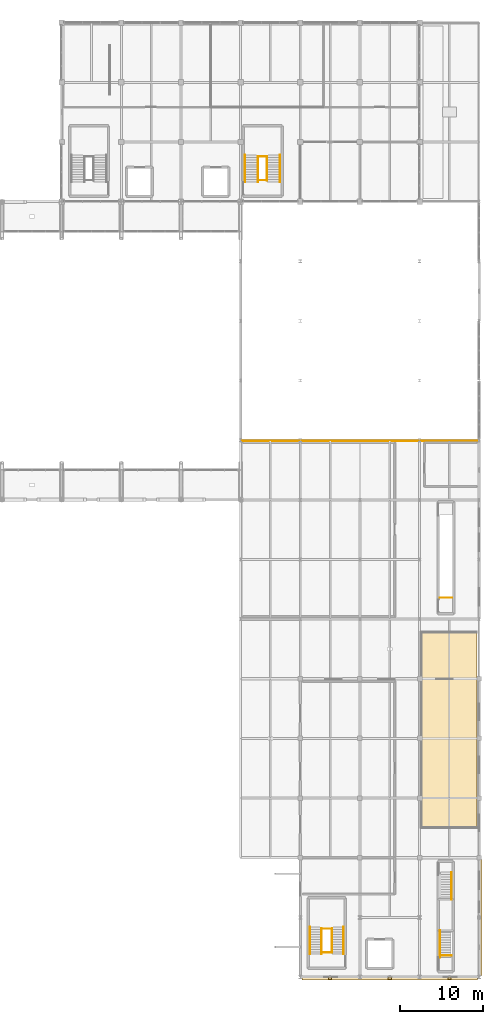
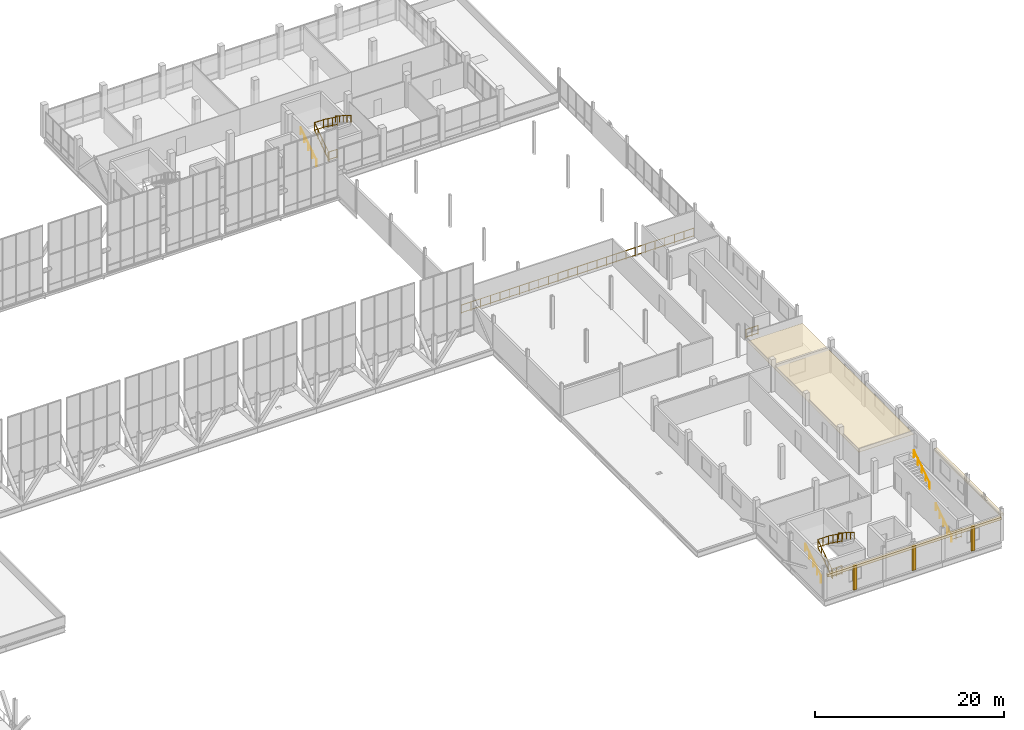
# One storey, part 101 of 102: 17 railings, 6 coverings.
"""IFC4 building model written with IfcOpenShell, lengths in metres."""

from ifc_helpers import new_model, si_unit, direction, frame, origin, origin_2d, place, context, subcontext, project, spatial, polyline, rectangle, circle, outline, extrude, material, layer, layer_set, type_object, element, save


model = new_model("IFC4")

# Units and contexts
model_context = context("Model", 3, precision=1e-05, world=origin(), true_north=direction((0.0, 1.0)))
body_context = subcontext(model_context, "Body", "Model", "MODEL_VIEW")
ifc_project = project(units=[si_unit("LENGTHUNIT", "METRE"), si_unit("AREAUNIT", "SQUARE_METRE"), si_unit("VOLUMEUNIT", "CUBIC_METRE"), si_unit("PLANEANGLEUNIT", "RADIAN"), si_unit("MASSUNIT", "GRAM", prefix="KILO")], contexts=[model_context])

# Site, building, storey
site_placement = place(None, origin())
site = spatial("IfcSite", under=ifc_project, at=site_placement, CompositionType="ELEMENT")
building_placement = place(site_placement, origin())
building = spatial("IfcBuilding", under=site, at=building_placement, Name="Yarey Park Central Fire Station", CompositionType="ELEMENT")
storey_placement = place(building_placement, frame((0.0, 0.0, 6.0)))
storey = spatial("IfcBuildingStorey", under=building, at=storey_placement, Name="L02", CompositionType="ELEMENT", Elevation=6.0)

# Coverings
ifc_material_1 = material(Name="Honed Coral-Limestone Cladding", Category="masonry")
ifc_layer_1 = layer(ifc_material_1, 0.044921875)
ifc_layer_set_1 = layer_set([ifc_layer_1], Name="Honed Coral-Limestone Cladding")
covering_type_1 = type_object("IfcCoveringType", Name="ENV_COV_CLAD_1", PredefinedType="CLADDING", material=ifc_layer_set_1)
covering_1_placement = place(storey_placement, frame((165.780029296875, 7.199951171875, 2.89990234375), z_axis=(0.0, 0.0, 1.0), x_axis=(0.0, 1.0, 0.0)))
element("IfcCovering", 1, at=covering_1_placement, inside=storey, type_object=covering_type_1, Name="FIN_L02_DTE_HOOD", PredefinedType="CLADDING", context=body_context, shape_type="SweptSolid", body=[
    extrude(rectangle(XDim=14.0, YDim=0.360107421875, at=origin_2d()), origin(), (0.0, 0.0, 1.0), 0.340087890625),
])
covering_2_placement = place(storey_placement, frame((154.800048828125, -0.179931640625, 2.89990234375), z_axis=(0.0, 0.0, 1.0), x_axis=(1.0, 0.0, 0.0)))
element("IfcCovering", 2, at=covering_2_placement, inside=storey, type_object=covering_type_1, Name="FIN_L02_DTS_HOOD", PredefinedType="CLADDING", context=body_context, shape_type="SweptSolid", body=[
    extrude(rectangle(XDim=21.199951171875, YDim=0.360107421875, at=origin_2d()), origin(), (0.0, 0.0, 1.0), 0.340087890625),
])
ifc_layer_2 = layer(ifc_material_1, 0.06005859375)
ifc_layer_set_2 = layer_set([ifc_layer_2], Name="Honed Coral-Limestone Cladding")
covering_type_2 = type_object("IfcCoveringType", Name="ENV_COV_CLAD_2", PredefinedType="CLADDING", material=ifc_layer_set_2)
for number, where, z_axis, x_axis, name in (
    (3, (147.60009765625, -0.159912109375, 0.050048828125), (0.0, 0.0, 1.0), (1.0, 0.0, 0.0), "FIN_L02_DTS_PIL_1"),
    (4, (154.800048828125, -0.159912109375, 0.050048828125), (0.0, 0.0, 1.0), (1.0, 0.0, 0.0), "FIN_L02_DTS_PIL_2"),
    (5, (162.0, -0.159912109375, 0.050048828125), (0.0, 0.0, 1.0), (1.0, 0.0, 0.0), "FIN_L02_DTS_PIL_3"),
):
    element("IfcCovering", number, at=place(storey_placement, frame(where, z_axis=z_axis, x_axis=x_axis)), inside=storey, type_object=covering_type_2, Name=name, PredefinedType="CLADDING", context=body_context, shape_type="SweptSolid", body=[
        extrude(rectangle(XDim=0.3798828125, YDim=0.280029296875, at=origin_2d()), origin(), (0.0, 0.0, 1.0), 3.14990234375),
    ])
ifc_material_2 = material(Name="Acoustic Mineral Fibre Tile", Category="finish")
ifc_layer_3 = layer(ifc_material_2, 0.031982421875)
ifc_layer_set_3 = layer_set([ifc_layer_3], Name="Acoustic Mineral Fibre Tile")
covering_type_3 = type_object("IfcCoveringType", Name="INT_CEIL_ACT_2", PredefinedType="CEILING", material=ifc_layer_set_3)
covering_3_placement = place(storey_placement, frame((0.0, 0.0, 2.85009765625)))
element("IfcCovering", 6, at=covering_3_placement, inside=storey, type_object=covering_type_3, Name="CEIL_SPC_L02_INSTRUCT", PredefinedType="CEILING", context=body_context, shape_type="SweptSolid", body=[
    extrude(outline(polyline([(158.590087890625, 17.989990234375), (165.31005859375, 17.989990234375), (165.31005859375, 41.610107421875), (158.590087890625, 41.610107421875), (158.590087890625, 17.989990234375)])), origin(), (0.0, 0.0, 1.0), 0.031982421875),
])

# Railings
ifc_material_3 = material(Name="Galvanized Steel Balustrade", Category="steel")
railing_type_1 = type_object("IfcRailingType", Name="INT_RAIL_GUARD112", PredefinedType="BALUSTRADE", material=ifc_material_3)
railing_1_placement = place(storey_placement, frame((138.89990234375, 95.949951171875, 0.0)))
element("IfcRailing", 7, at=railing_1_placement, inside=storey, type_object=railing_type_1, Name="GRD_C2_L02_F1", PredefinedType="BALUSTRADE", context=body_context, shape_type="SweptSolid", body=[
    extrude(circle(Radius=0.02392578125, at=origin_2d()), frame((0.0, 0.0, 1.09619140625), z_axis=(0.0, 0.827914784024, 0.560853911811), x_axis=(-1.0, 0.0, 0.0)), (0.0, 0.0, 1.0), 3.744384765625),
    extrude(circle(Radius=0.02392578125, at=origin_2d()), frame((0.0, 0.0, 0.1201171875), z_axis=(0.0, 0.827914784024, 0.560853911811), x_axis=(-1.0, 0.0, 0.0)), (0.0, 0.0, 1.0), 3.744384765625),
    extrude(circle(Radius=0.02099609375, at=origin_2d()), origin(), (0.0, 0.0, 1.0), 1.072021484375),
    extrude(circle(Radius=0.02099609375, at=origin_2d()), frame((0.0, 0.77490234375, 0.52490234375)), (0.0, 0.0, 1.0), 1.072021484375),
    extrude(circle(Radius=0.02099609375, at=origin_2d()), frame((0.0, 1.550048828125, 1.050048828125)), (0.0, 0.0, 1.0), 1.072021484375),
    extrude(circle(Radius=0.02099609375, at=origin_2d()), frame((0.0, 2.3251953125, 1.5751953125)), (0.0, 0.0, 1.0), 1.072021484375),
    extrude(circle(Radius=0.02099609375, at=origin_2d()), frame((0.0, 3.10009765625, 2.10009765625)), (0.0, 0.0, 1.0), 1.072021484375),
])
railing_2_placement = place(storey_placement, frame((140.0, 99.050048828125, 2.10009765625)))
element("IfcRailing", 8, at=railing_2_placement, inside=storey, type_object=railing_type_1, Name="GRD_C2_L02_F2", PredefinedType="BALUSTRADE", context=body_context, shape_type="SweptSolid", body=[
    extrude(circle(Radius=0.02392578125, at=origin_2d()), frame((0.0, 0.0, 1.09619140625), z_axis=(0.0, -0.809975627919, 0.586463538659), x_axis=(1.0, 0.0, 0.0)), (0.0, 0.0, 1.0), 3.58056640625),
    extrude(circle(Radius=0.02392578125, at=origin_2d()), frame((0.0, 0.0, 0.1201171875), z_axis=(0.0, -0.809975627919, 0.586463538659), x_axis=(1.0, 0.0, 0.0)), (0.0, 0.0, 1.0), 3.58056640625),
    extrude(circle(Radius=0.02099609375, at=origin_2d()), origin(), (0.0, 0.0, 1.0), 1.072021484375),
    extrude(circle(Radius=0.02099609375, at=origin_2d()), frame((0.0, -0.966796875, 0.699951171875)), (0.0, 0.0, 1.0), 1.072021484375),
    extrude(circle(Radius=0.02099609375, at=origin_2d()), frame((0.0, -1.933349609375, 1.39990234375)), (0.0, 0.0, 1.0), 1.072021484375),
    extrude(circle(Radius=0.02099609375, at=origin_2d()), frame((0.0, -2.900146484375, 2.099853515625)), (0.0, 0.0, 1.0), 1.072021484375),
])
for number, where, name in (
    (9, (138.89990234375, 99.030029296875, 2.10009765625), "GRD_C2_L02_SLOT_MID"),
    (10, (138.89990234375, 96.179931640625, 0.0), "GRD_C2_L02_SLOT_BOT"),
):
    element("IfcRailing", number, at=place(storey_placement, frame(where)), inside=storey, type_object=railing_type_1, Name=name, PredefinedType="BALUSTRADE", context=body_context, shape_type="SweptSolid", body=[
        extrude(circle(Radius=0.02392578125, at=origin_2d()), frame((0.0, 0.0, 1.09619140625), z_axis=(1.0, 0.0, 0.0), x_axis=(0.0, 1.0, 0.0)), (0.0, 0.0, 1.0), 1.10009765625),
        extrude(circle(Radius=0.02392578125, at=origin_2d()), frame((0.0, 0.0, 0.1201171875), z_axis=(1.0, 0.0, 0.0), x_axis=(0.0, 1.0, 0.0)), (0.0, 0.0, 1.0), 1.10009765625),
        extrude(circle(Radius=0.02099609375, at=origin_2d()), origin(), (0.0, 0.0, 1.0), 1.072021484375),
        extrude(circle(Radius=0.02099609375, at=origin_2d()), frame((1.10009765625, 0.0, 0.0)), (0.0, 0.0, 1.0), 1.072021484375),
    ])
railing_3_placement = place(storey_placement, frame((146.550048828125, 2.75, 0.0)))
element("IfcRailing", 11, at=railing_3_placement, inside=storey, type_object=railing_type_1, Name="GRD_C5_L02_F1", PredefinedType="BALUSTRADE", context=body_context, shape_type="SweptSolid", body=[
    extrude(circle(Radius=0.02392578125, at=origin_2d()), frame((0.0, 0.0, 1.09619140625), z_axis=(0.0, 0.827914784024, 0.560853911811), x_axis=(-1.0, 0.0, 0.0)), (0.0, 0.0, 1.0), 3.744384765625),
    extrude(circle(Radius=0.02392578125, at=origin_2d()), frame((0.0, 0.0, 0.1201171875), z_axis=(0.0, 0.827914784024, 0.560853911811), x_axis=(-1.0, 0.0, 0.0)), (0.0, 0.0, 1.0), 3.744384765625),
    extrude(circle(Radius=0.02099609375, at=origin_2d()), origin(), (0.0, 0.0, 1.0), 1.072021484375),
    extrude(circle(Radius=0.02099609375, at=origin_2d()), frame((0.0, 0.77490234375, 0.52490234375)), (0.0, 0.0, 1.0), 1.072021484375),
    extrude(circle(Radius=0.02099609375, at=origin_2d()), frame((0.0, 1.550048828125, 1.050048828125)), (0.0, 0.0, 1.0), 1.072021484375),
    extrude(circle(Radius=0.02099609375, at=origin_2d()), frame((0.0, 2.3251953125, 1.5751953125)), (0.0, 0.0, 1.0), 1.072021484375),
    extrude(circle(Radius=0.02099609375, at=origin_2d()), frame((0.0, 3.10009765625, 2.10009765625)), (0.0, 0.0, 1.0), 1.072021484375),
])
railing_4_placement = place(storey_placement, frame((147.85009765625, 5.85009765625, 2.10009765625)))
element("IfcRailing", 12, at=railing_4_placement, inside=storey, type_object=railing_type_1, Name="GRD_C5_L02_F2", PredefinedType="BALUSTRADE", context=body_context, shape_type="SweptSolid", body=[
    extrude(circle(Radius=0.02392578125, at=origin_2d()), frame((0.0, 0.0, 1.09619140625), z_axis=(0.0, -0.809975627919, 0.586463538659), x_axis=(1.0, 0.0, 0.0)), (0.0, 0.0, 1.0), 3.58056640625),
    extrude(circle(Radius=0.02392578125, at=origin_2d()), frame((0.0, 0.0, 0.1201171875), z_axis=(0.0, -0.809975627919, 0.586463538659), x_axis=(1.0, 0.0, 0.0)), (0.0, 0.0, 1.0), 3.58056640625),
    extrude(circle(Radius=0.02099609375, at=origin_2d()), origin(), (0.0, 0.0, 1.0), 1.072021484375),
    extrude(circle(Radius=0.02099609375, at=origin_2d()), frame((0.0, -0.966796875, 0.699951171875)), (0.0, 0.0, 1.0), 1.072021484375),
    extrude(circle(Radius=0.02099609375, at=origin_2d()), frame((0.0, -1.933349609375, 1.39990234375)), (0.0, 0.0, 1.0), 1.072021484375),
    extrude(circle(Radius=0.02099609375, at=origin_2d()), frame((0.0, -2.900146484375, 2.099853515625)), (0.0, 0.0, 1.0), 1.072021484375),
])
for number, where, name in (
    (13, (146.550048828125, 5.830078125, 2.10009765625), "GRD_C5_L02_SLOT_MID"),
    (14, (146.550048828125, 2.97998046875, 0.0), "GRD_C5_L02_SLOT_BOT"),
):
    element("IfcRailing", number, at=place(storey_placement, frame(where)), inside=storey, type_object=railing_type_1, Name=name, PredefinedType="BALUSTRADE", context=body_context, shape_type="SweptSolid", body=[
        extrude(circle(Radius=0.02392578125, at=origin_2d()), frame((0.0, 0.0, 1.09619140625), z_axis=(1.0, 0.0, 0.0), x_axis=(0.0, 1.0, 0.0)), (0.0, 0.0, 1.0), 1.300048828125),
        extrude(circle(Radius=0.02392578125, at=origin_2d()), frame((0.0, 0.0, 0.1201171875), z_axis=(1.0, 0.0, 0.0), x_axis=(0.0, 1.0, 0.0)), (0.0, 0.0, 1.0), 1.300048828125),
        extrude(circle(Radius=0.02099609375, at=origin_2d()), origin(), (0.0, 0.0, 1.0), 1.072021484375),
        extrude(circle(Radius=0.02099609375, at=origin_2d()), frame((0.64990234375, 0.0, 0.0)), (0.0, 0.0, 1.0), 1.072021484375),
        extrude(circle(Radius=0.02099609375, at=origin_2d()), frame((1.300048828125, 0.0, 0.0)), (0.0, 0.0, 1.0), 1.072021484375),
    ])
railing_5_placement = place(storey_placement, frame((160.85009765625, 2.580078125, 0.0)))
element("IfcRailing", 15, at=railing_5_placement, inside=storey, type_object=railing_type_1, Name="GRD_C6_L02_SOUTH_EDGE", PredefinedType="BALUSTRADE", context=body_context, shape_type="SweptSolid", body=[
    extrude(circle(Radius=0.02392578125, at=origin_2d()), frame((0.0, 0.0, 1.09619140625), z_axis=(1.0, 0.0, 0.0), x_axis=(0.0, 1.0, 0.0)), (0.0, 0.0, 1.0), 1.39990234375),
    extrude(circle(Radius=0.02392578125, at=origin_2d()), frame((0.0, 0.0, 0.1201171875), z_axis=(1.0, 0.0, 0.0), x_axis=(0.0, 1.0, 0.0)), (0.0, 0.0, 1.0), 1.39990234375),
    extrude(circle(Radius=0.02099609375, at=origin_2d()), origin(), (0.0, 0.0, 1.0), 1.072021484375),
    extrude(circle(Radius=0.02099609375, at=origin_2d()), frame((0.699951171875, 0.0, 0.0)), (0.0, 0.0, 1.0), 1.072021484375),
    extrude(circle(Radius=0.02099609375, at=origin_2d()), frame((1.39990234375, 0.0, 0.0)), (0.0, 0.0, 1.0), 1.072021484375),
])
railing_6_placement = place(storey_placement, frame((160.85009765625, 45.780029296875, 0.0)))
element("IfcRailing", 16, at=railing_6_placement, inside=storey, type_object=railing_type_1, Name="GRD_C7_L02_TOPWELL_S", PredefinedType="BALUSTRADE", context=body_context, shape_type="SweptSolid", body=[
    extrude(circle(Radius=0.02392578125, at=origin_2d()), frame((0.0, 0.0, 1.09619140625), z_axis=(1.0, 0.0, 0.0), x_axis=(0.0, 1.0, 0.0)), (0.0, 0.0, 1.0), 1.449951171875),
    extrude(circle(Radius=0.02392578125, at=origin_2d()), frame((0.0, 0.0, 0.1201171875), z_axis=(1.0, 0.0, 0.0), x_axis=(0.0, 1.0, 0.0)), (0.0, 0.0, 1.0), 1.449951171875),
    extrude(circle(Radius=0.02099609375, at=origin_2d()), origin(), (0.0, 0.0, 1.0), 1.072021484375),
    extrude(circle(Radius=0.02099609375, at=origin_2d()), frame((0.72509765625, 0.0, 0.0)), (0.0, 0.0, 1.0), 1.072021484375),
    extrude(circle(Radius=0.02099609375, at=origin_2d()), frame((1.449951171875, 0.0, 0.0)), (0.0, 0.0, 1.0), 1.072021484375),
])
railing_7_placement = place(storey_placement, frame((137.0, 64.719970703125, 0.0)))
element("IfcRailing", 17, at=railing_7_placement, inside=storey, type_object=railing_type_1, Name="GRD_INT_L02_MEZZ", PredefinedType="BALUSTRADE", context=body_context, shape_type="SweptSolid", body=[
    extrude(circle(Radius=0.02392578125, at=origin_2d()), frame((0.0, 0.0, 1.09619140625), z_axis=(1.0, 0.0, 0.0), x_axis=(0.0, 1.0, 0.0)), (0.0, 0.0, 1.0), 28.39990234375),
    extrude(circle(Radius=0.02392578125, at=origin_2d()), frame((0.0, 0.0, 0.1201171875), z_axis=(1.0, 0.0, 0.0), x_axis=(0.0, 1.0, 0.0)), (0.0, 0.0, 1.0), 28.39990234375),
    extrude(circle(Radius=0.02099609375, at=origin_2d()), origin(), (0.0, 0.0, 1.0), 1.072021484375),
    extrude(circle(Radius=0.02099609375, at=origin_2d()), frame((1.183349609375, 0.0, 0.0)), (0.0, 0.0, 1.0), 1.072021484375),
    extrude(circle(Radius=0.02099609375, at=origin_2d()), frame((2.36669921875, 0.0, 0.0)), (0.0, 0.0, 1.0), 1.072021484375),
    extrude(circle(Radius=0.02099609375, at=origin_2d()), frame((3.550048828125, 0.0, 0.0)), (0.0, 0.0, 1.0), 1.072021484375),
    extrude(circle(Radius=0.02099609375, at=origin_2d()), frame((4.7333984375, 0.0, 0.0)), (0.0, 0.0, 1.0), 1.072021484375),
    extrude(circle(Radius=0.02099609375, at=origin_2d()), frame((5.916748046875, 0.0, 0.0)), (0.0, 0.0, 1.0), 1.072021484375),
    extrude(circle(Radius=0.02099609375, at=origin_2d()), frame((7.10009765625, 0.0, 0.0)), (0.0, 0.0, 1.0), 1.072021484375),
    extrude(circle(Radius=0.02099609375, at=origin_2d()), frame((8.283203125, 0.0, 0.0)), (0.0, 0.0, 1.0), 1.072021484375),
    extrude(circle(Radius=0.02099609375, at=origin_2d()), frame((9.466552734375, 0.0, 0.0)), (0.0, 0.0, 1.0), 1.072021484375),
    extrude(circle(Radius=0.02099609375, at=origin_2d()), frame((10.64990234375, 0.0, 0.0)), (0.0, 0.0, 1.0), 1.072021484375),
    extrude(circle(Radius=0.02099609375, at=origin_2d()), frame((11.833251953125, 0.0, 0.0)), (0.0, 0.0, 1.0), 1.072021484375),
    extrude(circle(Radius=0.02099609375, at=origin_2d()), frame((13.0166015625, 0.0, 0.0)), (0.0, 0.0, 1.0), 1.072021484375),
    extrude(circle(Radius=0.02099609375, at=origin_2d()), frame((14.199951171875, 0.0, 0.0)), (0.0, 0.0, 1.0), 1.072021484375),
    extrude(circle(Radius=0.02099609375, at=origin_2d()), frame((15.38330078125, 0.0, 0.0)), (0.0, 0.0, 1.0), 1.072021484375),
    extrude(circle(Radius=0.02099609375, at=origin_2d()), frame((16.566650390625, 0.0, 0.0)), (0.0, 0.0, 1.0), 1.072021484375),
    extrude(circle(Radius=0.02099609375, at=origin_2d()), frame((17.75, 0.0, 0.0)), (0.0, 0.0, 1.0), 1.072021484375),
    extrude(circle(Radius=0.02099609375, at=origin_2d()), frame((18.933349609375, 0.0, 0.0)), (0.0, 0.0, 1.0), 1.072021484375),
    extrude(circle(Radius=0.02099609375, at=origin_2d()), frame((20.11669921875, 0.0, 0.0)), (0.0, 0.0, 1.0), 1.072021484375),
    extrude(circle(Radius=0.02099609375, at=origin_2d()), frame((21.2998046875, 0.0, 0.0)), (0.0, 0.0, 1.0), 1.072021484375),
    extrude(circle(Radius=0.02099609375, at=origin_2d()), frame((22.483154296875, 0.0, 0.0)), (0.0, 0.0, 1.0), 1.072021484375),
    extrude(circle(Radius=0.02099609375, at=origin_2d()), frame((23.66650390625, 0.0, 0.0)), (0.0, 0.0, 1.0), 1.072021484375),
    extrude(circle(Radius=0.02099609375, at=origin_2d()), frame((24.849853515625, 0.0, 0.0)), (0.0, 0.0, 1.0), 1.072021484375),
    extrude(circle(Radius=0.02099609375, at=origin_2d()), frame((26.033203125, 0.0, 0.0)), (0.0, 0.0, 1.0), 1.072021484375),
    extrude(circle(Radius=0.02099609375, at=origin_2d()), frame((27.216552734375, 0.0, 0.0)), (0.0, 0.0, 1.0), 1.072021484375),
    extrude(circle(Radius=0.02099609375, at=origin_2d()), frame((28.39990234375, 0.0, 0.0)), (0.0, 0.0, 1.0), 1.072021484375),
])
ifc_material_4 = material(Name="Stainless Steel AISI 316L", Category="steel")
railing_type_2 = type_object("IfcRailingType", Name="INT_RAIL_HAND090", PredefinedType="HANDRAIL", material=ifc_material_4)
railing_8_placement = place(storey_placement, frame((137.330078125, 95.949951171875, 0.0)))
element("IfcRailing", 18, at=railing_8_placement, inside=storey, type_object=railing_type_2, Name="HR_C2_L02_F1", PredefinedType="HANDRAIL", context=body_context, shape_type="SweptSolid", body=[
    extrude(circle(Radius=0.02392578125, at=origin_2d()), frame((0.0, 0.0, 0.8759765625), z_axis=(0.0, 0.843653777646, 0.53688760785), x_axis=(-1.0, 0.0, 0.0)), (0.0, 0.0, 1.0), 3.91162109375),
    extrude(circle(Radius=0.02099609375, at=origin_2d()), origin(), (0.0, 0.0, 1.0), 0.851806640625),
    extrude(circle(Radius=0.02099609375, at=origin_2d()), frame((0.0, 0.824951171875, 0.52490234375)), (0.0, 0.0, 1.0), 0.851806640625),
    extrude(circle(Radius=0.02099609375, at=origin_2d()), frame((0.0, 1.64990234375, 1.050048828125)), (0.0, 0.0, 1.0), 0.851806640625),
    extrude(circle(Radius=0.02099609375, at=origin_2d()), frame((0.0, 2.47509765625, 1.5751953125)), (0.0, 0.0, 1.0), 0.851806640625),
    extrude(circle(Radius=0.02099609375, at=origin_2d()), frame((0.0, 3.300048828125, 2.10009765625)), (0.0, 0.0, 1.0), 0.851806640625),
])
railing_9_placement = place(storey_placement, frame((141.570068359375, 99.25, 2.10009765625)))
element("IfcRailing", 19, at=railing_9_placement, inside=storey, type_object=railing_type_2, Name="HR_C2_L02_F2", PredefinedType="HANDRAIL", context=body_context, shape_type="SweptSolid", body=[
    extrude(circle(Radius=0.02392578125, at=origin_2d()), frame((0.0, 0.0, 0.8759765625), z_axis=(0.0, -0.843682047799, 0.53684318215), x_axis=(1.0, 0.0, 0.0)), (0.0, 0.0, 1.0), 3.911376953125),
    extrude(circle(Radius=0.02099609375, at=origin_2d()), origin(), (0.0, 0.0, 1.0), 0.851806640625),
    extrude(circle(Radius=0.02099609375, at=origin_2d()), frame((0.0, -0.824951171875, 0.52490234375)), (0.0, 0.0, 1.0), 0.851806640625),
    extrude(circle(Radius=0.02099609375, at=origin_2d()), frame((0.0, -1.64990234375, 1.0498046875)), (0.0, 0.0, 1.0), 0.851806640625),
    extrude(circle(Radius=0.02099609375, at=origin_2d()), frame((0.0, -2.47509765625, 1.574951171875)), (0.0, 0.0, 1.0), 0.851806640625),
    extrude(circle(Radius=0.02099609375, at=origin_2d()), frame((0.0, -3.300048828125, 2.099853515625)), (0.0, 0.0, 1.0), 0.851806640625),
])
railing_10_placement = place(storey_placement, frame((145.179931640625, 2.75, 0.0)))
element("IfcRailing", 20, at=railing_10_placement, inside=storey, type_object=railing_type_2, Name="HR_C5_L02_F1", PredefinedType="HANDRAIL", context=body_context, shape_type="SweptSolid", body=[
    extrude(circle(Radius=0.02392578125, at=origin_2d()), frame((0.0, 0.0, 0.8759765625), z_axis=(0.0, 0.843653777646, 0.53688760785), x_axis=(-1.0, 0.0, 0.0)), (0.0, 0.0, 1.0), 3.91162109375),
    extrude(circle(Radius=0.02099609375, at=origin_2d()), origin(), (0.0, 0.0, 1.0), 0.851806640625),
    extrude(circle(Radius=0.02099609375, at=origin_2d()), frame((0.0, 0.824951171875, 0.52490234375)), (0.0, 0.0, 1.0), 0.851806640625),
    extrude(circle(Radius=0.02099609375, at=origin_2d()), frame((0.0, 1.64990234375, 1.050048828125)), (0.0, 0.0, 1.0), 0.851806640625),
    extrude(circle(Radius=0.02099609375, at=origin_2d()), frame((0.0, 2.47509765625, 1.5751953125)), (0.0, 0.0, 1.0), 0.851806640625),
    extrude(circle(Radius=0.02099609375, at=origin_2d()), frame((0.0, 3.300048828125, 2.10009765625)), (0.0, 0.0, 1.0), 0.851806640625),
])
railing_11_placement = place(storey_placement, frame((149.219970703125, 6.050048828125, 2.10009765625)))
element("IfcRailing", 21, at=railing_11_placement, inside=storey, type_object=railing_type_2, Name="HR_C5_L02_F2", PredefinedType="HANDRAIL", context=body_context, shape_type="SweptSolid", body=[
    extrude(circle(Radius=0.02392578125, at=origin_2d()), frame((0.0, 0.0, 0.8759765625), z_axis=(0.0, -0.843682047799, 0.53684318215), x_axis=(1.0, 0.0, 0.0)), (0.0, 0.0, 1.0), 3.911376953125),
    extrude(circle(Radius=0.02099609375, at=origin_2d()), origin(), (0.0, 0.0, 1.0), 0.851806640625),
    extrude(circle(Radius=0.02099609375, at=origin_2d()), frame((0.0, -0.824951171875, 0.52490234375)), (0.0, 0.0, 1.0), 0.851806640625),
    extrude(circle(Radius=0.02099609375, at=origin_2d()), frame((0.0, -1.64990234375, 1.0498046875)), (0.0, 0.0, 1.0), 0.851806640625),
    extrude(circle(Radius=0.02099609375, at=origin_2d()), frame((0.0, -2.47509765625, 1.574951171875)), (0.0, 0.0, 1.0), 0.851806640625),
    extrude(circle(Radius=0.02099609375, at=origin_2d()), frame((0.0, -3.300048828125, 2.099853515625)), (0.0, 0.0, 1.0), 0.851806640625),
])
railing_12_placement = place(storey_placement, frame((160.860107421875, 2.35009765625, 0.0)))
element("IfcRailing", 22, at=railing_12_placement, inside=storey, type_object=railing_type_2, Name="HR_C6_L02_L", PredefinedType="HANDRAIL", context=body_context, shape_type="SweptSolid", body=[
    extrude(circle(Radius=0.02392578125, at=origin_2d()), frame((0.0, 0.0, 0.8759765625), z_axis=(0.0, 0.843635785416, 0.536915879413), x_axis=(-1.0, 0.0, 0.0)), (0.0, 0.0, 1.0), 3.911376953125),
    extrude(circle(Radius=0.02099609375, at=origin_2d()), origin(), (0.0, 0.0, 1.0), 0.851806640625),
    extrude(circle(Radius=0.02099609375, at=origin_2d()), frame((0.0, 0.824951171875, 0.52490234375)), (0.0, 0.0, 1.0), 0.851806640625),
    extrude(circle(Radius=0.02099609375, at=origin_2d()), frame((0.0, 1.64990234375, 1.050048828125)), (0.0, 0.0, 1.0), 0.851806640625),
    extrude(circle(Radius=0.02099609375, at=origin_2d()), frame((0.0, 2.474853515625, 1.5751953125)), (0.0, 0.0, 1.0), 0.851806640625),
    extrude(circle(Radius=0.02099609375, at=origin_2d()), frame((0.0, 3.2998046875, 2.10009765625)), (0.0, 0.0, 1.0), 0.851806640625),
])
railing_13_placement = place(storey_placement, frame((162.239990234375, 9.35009765625, 2.10009765625)))
element("IfcRailing", 23, at=railing_13_placement, inside=storey, type_object=railing_type_2, Name="HR_C6_L02_R", PredefinedType="HANDRAIL", context=body_context, shape_type="SweptSolid", body=[
    extrude(circle(Radius=0.02392578125, at=origin_2d()), frame((0.0, 0.0, 0.8759765625), z_axis=(0.0, 0.843664057944, 0.536871453268), x_axis=(-1.0, 0.0, 0.0)), (0.0, 0.0, 1.0), 3.911376953125),
    extrude(circle(Radius=0.02099609375, at=origin_2d()), origin(), (0.0, 0.0, 1.0), 0.851806640625),
    extrude(circle(Radius=0.02099609375, at=origin_2d()), frame((0.0, 0.824951171875, 0.52490234375)), (0.0, 0.0, 1.0), 0.851806640625),
    extrude(circle(Radius=0.02099609375, at=origin_2d()), frame((0.0, 1.64990234375, 1.0498046875)), (0.0, 0.0, 1.0), 0.851806640625),
    extrude(circle(Radius=0.02099609375, at=origin_2d()), frame((0.0, 2.474853515625, 1.574951171875)), (0.0, 0.0, 1.0), 0.851806640625),
    extrude(circle(Radius=0.02099609375, at=origin_2d()), frame((0.0, 3.2998046875, 2.099853515625)), (0.0, 0.0, 1.0), 0.851806640625),
])

save(model, "model.ifc")
